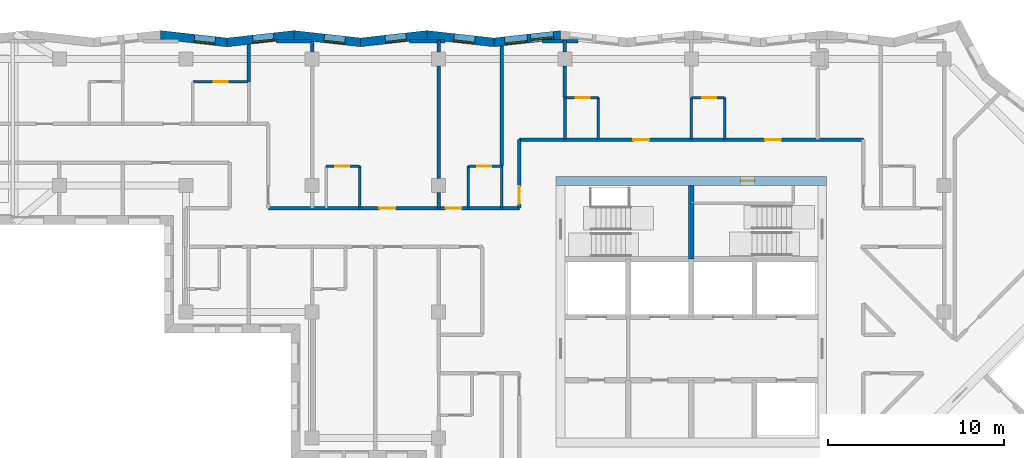
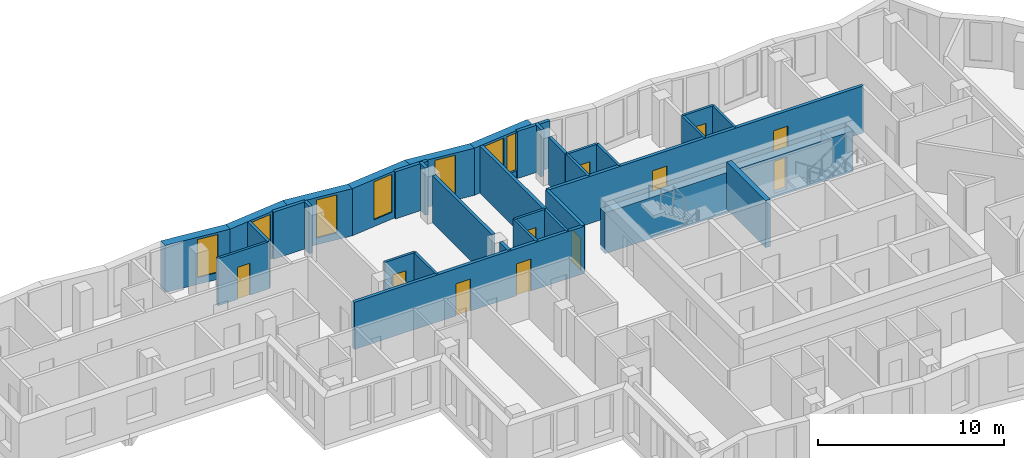
# One storey, part 6 of 13: 34 walls, 11 doors, 7 windows, 18 openings.
"""IFC4 building model written with IfcOpenShell, lengths in metres."""

from ifc_helpers import new_model, si_unit, direction, frame, frame_2d, origin, place, context, subcontext, project, spatial, polyline, rectangle, outline, extrude, material, layer, layer_set, type_object, element, fill, save


model = new_model("IFC4")

# Units and contexts
model_context = context("Model", 3, precision=1e-05, world=origin(), true_north=direction((0.0, 1.0)))
body_context = subcontext(model_context, "Body", "Model", "MODEL_VIEW")
ifc_project = project(units=[si_unit("LENGTHUNIT", "METRE"), si_unit("AREAUNIT", "SQUARE_METRE"), si_unit("VOLUMEUNIT", "CUBIC_METRE"), si_unit("PLANEANGLEUNIT", "RADIAN"), si_unit("MASSUNIT", "GRAM", prefix="KILO")], contexts=[model_context])

# Site, building, storey
site_placement = place(None, origin())
site = spatial("IfcSite", under=ifc_project, at=site_placement, CompositionType="ELEMENT")
building_placement = place(site_placement, origin())
building = spatial("IfcBuilding", under=site, at=building_placement, Name="Windrow Commons", CompositionType="ELEMENT")
storey_placement = place(building_placement, frame((0.0, 0.0, 203.2)))
storey = spatial("IfcBuildingStorey", under=building, at=storey_placement, Name="L55", CompositionType="ELEMENT", Elevation=203.2)

# Wall, openings, windows
ifc_material_1 = material(Name="Brick masonry, red clay brick", Category="masonry")
ifc_layer_1 = layer(ifc_material_1, 0.5)
ifc_layer_set_1 = layer_set([ifc_layer_1], Name="Brick facade wall 500")
wall_type_1 = type_object("IfcWallType", Name="Brick facade wall 500", PredefinedType="SOLIDWALL", material=ifc_layer_set_1)
wall_1_placement = place(storey_placement, frame((57.3421, 73.3695, 0.0), z_axis=(0.0, 0.0, 1.0), x_axis=(-0.99390702, -0.1102217568, 0.0)))
wall_1 = element("IfcWall", 1, at=wall_1_placement, inside=storey, type_object=wall_type_1, Name="Brick facade wall L55 23", PredefinedType="SOLIDWALL", context=body_context, shape_type="SweptSolid", body=[
    extrude(outline(polyline([(-0.0277, -0.25), (3.7919, -0.25), (3.8473, 0.25), (0.0277, 0.25), (-0.0277, -0.25)])), origin(), (0.0, 0.0, 1.0), 3.1),
])
opening_1_placement = place(wall_1_placement, frame((0.3952, 0.0, 0.45)))
opening_1 = element("IfcOpeningElement", 2, at=opening_1_placement, cuts=wall_1, Name="Opening W1Q", PredefinedType="OPENING", context=body_context, shape_type="SweptSolid", body=[
    extrude(rectangle(XDim=1.3, YDim=2.5, at=frame_2d((0.65, 1.25))), frame((0.0, 0.26, 0.0), z_axis=(0.0, -1.0, 0.0), x_axis=(1.0, 0.0, 0.0)), (0.0, 0.0, 1.0), 0.52),
])
opening_2_placement = place(wall_1_placement, frame((1.8952, 0.0, 0.45)))
opening_2 = element("IfcOpeningElement", 3, at=opening_2_placement, cuts=wall_1, Name="Opening W1Q", PredefinedType="OPENING", context=body_context, shape_type="SweptSolid", body=[
    extrude(rectangle(XDim=1.3, YDim=2.5, at=frame_2d((0.65, 1.25))), frame((0.0, 0.26, 0.0), z_axis=(0.0, -1.0, 0.0), x_axis=(1.0, 0.0, 0.0)), (0.0, 0.0, 1.0), 0.52),
])
ifc_material_2 = material(Name="Clear float glass in anodised aluminium frame", Category="aluminium")
window_type_1 = type_object("IfcWindowType", Name="Window W1Q pair 1300x2500", PartitioningType="SINGLE_PANEL", PredefinedType="WINDOW", material=ifc_material_2)
window_1_placement = place(opening_1_placement, origin())
window_1 = element("IfcWindow", 4, at=window_1_placement, inside=storey, type_object=window_type_1, Name="Window L55 23.1A", OverallHeight=2.5, OverallWidth=1.3, PartitioningType="SINGLE_PANEL", PredefinedType="WINDOW", context=body_context, shape_type="SweptSolid", body=[
    extrude(rectangle(XDim=1.3, YDim=2.5, at=frame_2d((0.65, 1.25))), frame((0.0, 0.12, 0.0), z_axis=(0.0, -1.0, 0.0), x_axis=(1.0, 0.0, 0.0)), (0.0, 0.0, 1.0), 0.06),
])
fill(opening_1, window_1)
window_2_placement = place(opening_2_placement, origin())
window_2 = element("IfcWindow", 5, at=window_2_placement, inside=storey, type_object=window_type_1, Name="Window L55 23.1B", OverallHeight=2.5, OverallWidth=1.3, PartitioningType="SINGLE_PANEL", PredefinedType="WINDOW", context=body_context, shape_type="SweptSolid", body=[
    extrude(rectangle(XDim=1.3, YDim=2.5, at=frame_2d((0.65, 1.25))), frame((0.0, 0.18, 0.0), z_axis=(0.0, -1.0, 0.0), x_axis=(1.0, 0.0, 0.0)), (0.0, 0.0, 1.0), 0.06),
])
fill(opening_2, window_2)

# Wall, opening, window
wall_2_placement = place(storey_placement, frame((53.5458, 72.9485, 0.0), z_axis=(0.0, 0.0, 1.0), x_axis=(-0.99390702, 0.1102217568, 0.0)))
wall_2 = element("IfcWall", 6, at=wall_2_placement, inside=storey, type_object=wall_type_1, Name="Brick facade wall L55 24", PredefinedType="SOLIDWALL", context=body_context, shape_type="SweptSolid", body=[
    extrude(outline(polyline([(0.0277, -0.25), (3.8473, -0.25), (3.7919, 0.25), (-0.0277, 0.25), (0.0277, -0.25)])), origin(), (0.0, 0.0, 1.0), 3.1),
])
opening_3_placement = place(wall_2_placement, frame((1.0826, 0.0, 0.45)))
opening_3 = element("IfcOpeningElement", 7, at=opening_3_placement, cuts=wall_2, Name="Opening W7E", PredefinedType="OPENING", context=body_context, shape_type="SweptSolid", body=[
    extrude(rectangle(XDim=1.2, YDim=2.5, at=frame_2d((0.6, 1.25))), frame((0.0, 0.26, 0.0), z_axis=(0.0, -1.0, 0.0), x_axis=(1.0, 0.0, 0.0)), (0.0, 0.0, 1.0), 0.52),
])
ifc_material_3 = material(Name="Clear float glass in anodised aluminium frame", Category="aluminium")
window_type_2 = type_object("IfcWindowType", Name="Window W7 notch 1200x2500", PartitioningType="SINGLE_PANEL", PredefinedType="WINDOW", material=ifc_material_3)
window_3_placement = place(opening_3_placement, origin())
window_3 = element("IfcWindow", 8, at=window_3_placement, inside=storey, type_object=window_type_2, Name="Window L55 24.1", OverallHeight=2.5, OverallWidth=1.2, PartitioningType="SINGLE_PANEL", PredefinedType="WINDOW", context=body_context, shape_type="SweptSolid", body=[
    extrude(rectangle(XDim=1.2, YDim=2.5, at=frame_2d((0.6, 1.25))), frame((0.0, 0.18, 0.0), z_axis=(0.0, -1.0, 0.0), x_axis=(1.0, 0.0, 0.0)), (0.0, 0.0, 1.0), 0.06),
])
fill(opening_3, window_3)

wall_3_placement = place(storey_placement, frame((49.7495, 73.3695, 0.0), z_axis=(0.0, 0.0, 1.0), x_axis=(-0.99390702, -0.1102217568, 0.0)))
wall_3 = element("IfcWall", 9, at=wall_3_placement, inside=storey, type_object=wall_type_1, Name="Brick facade wall L55 25", PredefinedType="SOLIDWALL", context=body_context, shape_type="SweptSolid", body=[
    extrude(outline(polyline([(-0.0277, -0.25), (3.7919, -0.25), (3.8473, 0.25), (0.0277, 0.25), (-0.0277, -0.25)])), origin(), (0.0, 0.0, 1.0), 3.1),
])
opening_4_placement = place(wall_3_placement, frame((1.1977, 0.0, 0.45)))
opening_4 = element("IfcOpeningElement", 10, at=opening_4_placement, cuts=wall_3, Name="Opening W7E", PredefinedType="OPENING", context=body_context, shape_type="SweptSolid", body=[
    extrude(rectangle(XDim=1.2, YDim=2.5, at=frame_2d((0.6, 1.25))), frame((0.0, 0.26, 0.0), z_axis=(0.0, -1.0, 0.0), x_axis=(1.0, 0.0, 0.0)), (0.0, 0.0, 1.0), 0.52),
])
window_4_placement = place(opening_4_placement, origin())
window_4 = element("IfcWindow", 11, at=window_4_placement, inside=storey, type_object=window_type_2, Name="Window L55 25.1", OverallHeight=2.5, OverallWidth=1.2, PartitioningType="SINGLE_PANEL", PredefinedType="WINDOW", context=body_context, shape_type="SweptSolid", body=[
    extrude(rectangle(XDim=1.2, YDim=2.5, at=frame_2d((0.6, 1.25))), frame((0.0, 0.18, 0.0), z_axis=(0.0, -1.0, 0.0), x_axis=(1.0, 0.0, 0.0)), (0.0, 0.0, 1.0), 0.06),
])
fill(opening_4, window_4)

wall_4_placement = place(storey_placement, frame((45.9532, 72.9485, 0.0), z_axis=(0.0, 0.0, 1.0), x_axis=(-0.99390702, 0.1102217568, 0.0)))
wall_4 = element("IfcWall", 12, at=wall_4_placement, inside=storey, type_object=wall_type_1, Name="Brick facade wall L55 26", PredefinedType="SOLIDWALL", context=body_context, shape_type="SweptSolid", body=[
    extrude(outline(polyline([(0.0277, -0.25), (3.8473, -0.25), (3.7919, 0.25), (-0.0277, 0.25), (0.0277, -0.25)])), origin(), (0.0, 0.0, 1.0), 3.1),
])
opening_5_placement = place(wall_4_placement, frame((0.885, 0.0, 0.45)))
opening_5 = element("IfcOpeningElement", 13, at=opening_5_placement, cuts=wall_4, Name="Opening W7E", PredefinedType="OPENING", context=body_context, shape_type="SweptSolid", body=[
    extrude(rectangle(XDim=1.2, YDim=2.5, at=frame_2d((0.6, 1.25))), frame((0.0, 0.26, 0.0), z_axis=(0.0, -1.0, 0.0), x_axis=(1.0, 0.0, 0.0)), (0.0, 0.0, 1.0), 0.52),
])
window_5_placement = place(opening_5_placement, origin())
window_5 = element("IfcWindow", 14, at=window_5_placement, inside=storey, type_object=window_type_2, Name="Window L55 26.1", OverallHeight=2.5, OverallWidth=1.2, PartitioningType="SINGLE_PANEL", PredefinedType="WINDOW", context=body_context, shape_type="SweptSolid", body=[
    extrude(rectangle(XDim=1.2, YDim=2.5, at=frame_2d((0.6, 1.25))), frame((0.0, 0.18, 0.0), z_axis=(0.0, -1.0, 0.0), x_axis=(1.0, 0.0, 0.0)), (0.0, 0.0, 1.0), 0.06),
])
fill(opening_5, window_5)

wall_5_placement = place(storey_placement, frame((42.1569, 73.3695, 0.0), z_axis=(0.0, 0.0, 1.0), x_axis=(-0.99390702, -0.1102217568, 0.0)))
wall_5 = element("IfcWall", 15, at=wall_5_placement, inside=storey, type_object=wall_type_1, Name="Brick facade wall L55 27", PredefinedType="SOLIDWALL", context=body_context, shape_type="SweptSolid", body=[
    extrude(outline(polyline([(-0.0277, -0.25), (3.7919, -0.25), (3.8473, 0.25), (0.0277, 0.25), (-0.0277, -0.25)])), origin(), (0.0, 0.0, 1.0), 3.1),
])
opening_6_placement = place(wall_5_placement, frame((1.1501, 0.0, 0.45)))
opening_6 = element("IfcOpeningElement", 16, at=opening_6_placement, cuts=wall_5, Name="Opening W7E", PredefinedType="OPENING", context=body_context, shape_type="SweptSolid", body=[
    extrude(rectangle(XDim=1.2, YDim=2.5, at=frame_2d((0.6, 1.25))), frame((0.0, 0.26, 0.0), z_axis=(0.0, -1.0, 0.0), x_axis=(1.0, 0.0, 0.0)), (0.0, 0.0, 1.0), 0.52),
])
window_6_placement = place(opening_6_placement, origin())
window_6 = element("IfcWindow", 17, at=window_6_placement, inside=storey, type_object=window_type_2, Name="Window L55 27.1", OverallHeight=2.5, OverallWidth=1.2, PartitioningType="SINGLE_PANEL", PredefinedType="WINDOW", context=body_context, shape_type="SweptSolid", body=[
    extrude(rectangle(XDim=1.2, YDim=2.5, at=frame_2d((0.6, 1.25))), frame((0.0, 0.18, 0.0), z_axis=(0.0, -1.0, 0.0), x_axis=(1.0, 0.0, 0.0)), (0.0, 0.0, 1.0), 0.06),
])
fill(opening_6, window_6)

wall_6_placement = place(storey_placement, frame((38.3606, 72.9485, 0.0), z_axis=(0.0, 0.0, 1.0), x_axis=(-0.99390702, 0.1102217568, 0.0)))
wall_6 = element("IfcWall", 18, at=wall_6_placement, inside=storey, type_object=wall_type_1, Name="Brick facade wall L55 28", PredefinedType="SOLIDWALL", context=body_context, shape_type="SweptSolid", body=[
    extrude(outline(polyline([(0.0277, -0.25), (3.8473, -0.25), (3.7919, 0.25), (-0.0277, 0.25), (0.0277, -0.25)])), origin(), (0.0, 0.0, 1.0), 3.1),
])
opening_7_placement = place(wall_6_placement, frame((0.6875, 0.0, 0.45)))
opening_7 = element("IfcOpeningElement", 19, at=opening_7_placement, cuts=wall_6, Name="Opening W7E", PredefinedType="OPENING", context=body_context, shape_type="SweptSolid", body=[
    extrude(rectangle(XDim=1.2, YDim=2.5, at=frame_2d((0.6, 1.25))), frame((0.0, 0.26, 0.0), z_axis=(0.0, -1.0, 0.0), x_axis=(1.0, 0.0, 0.0)), (0.0, 0.0, 1.0), 0.52),
])
window_7_placement = place(opening_7_placement, origin())
window_7 = element("IfcWindow", 20, at=window_7_placement, inside=storey, type_object=window_type_2, Name="Window L55 28.1", OverallHeight=2.5, OverallWidth=1.2, PartitioningType="SINGLE_PANEL", PredefinedType="WINDOW", context=body_context, shape_type="SweptSolid", body=[
    extrude(rectangle(XDim=1.2, YDim=2.5, at=frame_2d((0.6, 1.25))), frame((0.0, 0.18, 0.0), z_axis=(0.0, -1.0, 0.0), x_axis=(1.0, 0.0, 0.0)), (0.0, 0.0, 1.0), 0.06),
])
fill(opening_7, window_7)

# Wall, openings, doors
ifc_material_4 = material(Name="Blockwork partition", Category="masonry")
ifc_layer_2 = layer(ifc_material_4, 0.2)
ifc_layer_set_2 = layer_set([ifc_layer_2], Name="IW-CORRIDOR-200")
wall_type_2 = type_object("IfcWallType", Name="IW-CORRIDOR-200", PredefinedType="PARTITIONING", material=ifc_layer_set_2)
wall_7_placement = place(storey_placement, frame((55.0, 67.4, 0.0), z_axis=(0.0, 0.0, 1.0), x_axis=(1.0, 0.0, 0.0)))
wall_7 = element("IfcWall", 21, at=wall_7_placement, inside=storey, type_object=wall_type_2, Name="W-L55-W000", PredefinedType="PARTITIONING", context=body_context, shape_type="SweptSolid", body=[
    extrude(rectangle(XDim=19.6, YDim=0.2, at=frame_2d((9.8, 0.0))), origin(), (0.0, 0.0, 1.0), 3.1),
])
opening_8_placement = place(wall_7_placement, frame((6.4994, 0.0, 0.0)))
opening_8 = element("IfcOpeningElement", 22, at=opening_8_placement, cuts=wall_7, Name="Opening D109F", PredefinedType="OPENING", context=body_context, shape_type="SweptSolid", body=[
    extrude(rectangle(XDim=0.9, YDim=2.1, at=frame_2d((0.45, 1.05))), frame((0.0, 0.11, 0.0), z_axis=(0.0, -1.0, 0.0), x_axis=(1.0, 0.0, 0.0)), (0.0, 0.0, 1.0), 0.22),
])
opening_9_placement = place(wall_7_placement, frame((14.0006, 0.0, 0.0)))
opening_9 = element("IfcOpeningElement", 23, at=opening_9_placement, cuts=wall_7, Name="Opening D109F", PredefinedType="OPENING", context=body_context, shape_type="SweptSolid", body=[
    extrude(rectangle(XDim=0.9, YDim=2.1, at=frame_2d((0.45, 1.05))), frame((0.0, 0.11, 0.0), z_axis=(0.0, -1.0, 0.0), x_axis=(1.0, 0.0, 0.0)), (0.0, 0.0, 1.0), 0.22),
])
ifc_material_5 = material(Name="Timber door leaf", Category="wood")
door_type_1 = type_object("IfcDoorType", Name="DT-BEDROOM-900", OperationType="SINGLE_SWING_LEFT", PredefinedType="DOOR", material=ifc_material_5)
door_1_placement = place(opening_8_placement, origin())
door_1 = element("IfcDoor", 24, at=door_1_placement, inside=storey, type_object=door_type_1, Name="D-L55-D032", OperationType="SINGLE_SWING_RIGHT", OverallHeight=2.1, OverallWidth=0.9, PredefinedType="DOOR", context=body_context, shape_type="SweptSolid", body=[
    extrude(rectangle(XDim=0.9, YDim=2.1, at=frame_2d((0.45, 1.05))), frame((0.0, 0.025, 0.0), z_axis=(0.0, -1.0, 0.0), x_axis=(1.0, 0.0, 0.0)), (0.0, 0.0, 1.0), 0.05),
])
fill(opening_8, door_1)
door_2_placement = place(opening_9_placement, origin())
door_2 = element("IfcDoor", 25, at=door_2_placement, inside=storey, type_object=door_type_1, Name="D-L55-D034", OperationType="SINGLE_SWING_RIGHT", OverallHeight=2.1, OverallWidth=0.9, PredefinedType="DOOR", context=body_context, shape_type="SweptSolid", body=[
    extrude(rectangle(XDim=0.9, YDim=2.1, at=frame_2d((0.45, 1.05))), frame((0.0, 0.025, 0.0), z_axis=(0.0, -1.0, 0.0), x_axis=(1.0, 0.0, 0.0)), (0.0, 0.0, 1.0), 0.05),
])
fill(opening_9, door_2)

wall_8_placement = place(storey_placement, frame((40.702, 63.5, 0.0), z_axis=(0.0, 0.0, 1.0), x_axis=(1.0, 0.0, 0.0)))
wall_8 = element("IfcWall", 26, at=wall_8_placement, inside=storey, type_object=wall_type_2, Name="W-L55-W005", PredefinedType="PARTITIONING", context=body_context, shape_type="SweptSolid", body=[
    extrude(rectangle(XDim=14.298, YDim=0.2, at=frame_2d((7.149, 0.0))), origin(), (0.0, 0.0, 1.0), 3.1),
])
opening_10_placement = place(wall_8_placement, frame((6.332, 0.0, 0.0)))
opening_10 = element("IfcOpeningElement", 27, at=opening_10_placement, cuts=wall_8, Name="Opening D109F", PredefinedType="OPENING", context=body_context, shape_type="SweptSolid", body=[
    extrude(rectangle(XDim=0.9, YDim=2.1, at=frame_2d((0.45, 1.05))), frame((0.0, 0.11, 0.0), z_axis=(0.0, -1.0, 0.0), x_axis=(1.0, 0.0, 0.0)), (0.0, 0.0, 1.0), 0.22),
])
opening_11_placement = place(wall_8_placement, frame((10.098, 0.0, 0.0)))
opening_11 = element("IfcOpeningElement", 28, at=opening_11_placement, cuts=wall_8, Name="Opening D109S", PredefinedType="OPENING", context=body_context, shape_type="SweptSolid", body=[
    extrude(rectangle(XDim=0.9, YDim=2.1, at=frame_2d((0.45, 1.05))), frame((0.0, 0.11, 0.0), z_axis=(0.0, -1.0, 0.0), x_axis=(1.0, 0.0, 0.0)), (0.0, 0.0, 1.0), 0.22),
])
door_3_placement = place(opening_10_placement, origin())
door_3 = element("IfcDoor", 29, at=door_3_placement, inside=storey, type_object=door_type_1, Name="D-L55-D015", OperationType="SINGLE_SWING_RIGHT", OverallHeight=2.1, OverallWidth=0.9, PredefinedType="DOOR", context=body_context, shape_type="SweptSolid", body=[
    extrude(rectangle(XDim=0.9, YDim=2.1, at=frame_2d((0.45, 1.05))), frame((0.0, 0.025, 0.0), z_axis=(0.0, -1.0, 0.0), x_axis=(1.0, 0.0, 0.0)), (0.0, 0.0, 1.0), 0.05),
])
fill(opening_10, door_3)
door_4_placement = place(opening_11_placement, origin())
door_4 = element("IfcDoor", 30, at=door_4_placement, inside=storey, type_object=door_type_1, Name="D-L55-D017", OperationType="SINGLE_SWING_RIGHT", OverallHeight=2.1, OverallWidth=0.9, PredefinedType="DOOR", context=body_context, shape_type="SweptSolid", body=[
    extrude(rectangle(XDim=0.9, YDim=2.1, at=frame_2d((0.45, 1.05))), frame((0.0, 0.025, 0.0), z_axis=(0.0, -1.0, 0.0), x_axis=(1.0, 0.0, 0.0)), (0.0, 0.0, 1.0), 0.05),
])
fill(opening_11, door_4)

# Wall, opening, door
wall_9_placement = place(storey_placement, frame((55.0, 63.502, 0.0), z_axis=(0.0, 0.0, 1.0), x_axis=(0.0, 1.0, 0.0)))
wall_9 = element("IfcWall", 31, at=wall_9_placement, inside=storey, type_object=wall_type_2, Name="W-L55-W042", PredefinedType="PARTITIONING", context=body_context, shape_type="SweptSolid", body=[
    extrude(rectangle(XDim=3.898, YDim=0.2, at=frame_2d((1.949, 0.0))), origin(), (0.0, 0.0, 1.0), 3.1),
])
opening_12_placement = place(wall_9_placement, frame((0.2416, 0.0, 0.0)))
opening_12 = element("IfcOpeningElement", 32, at=opening_12_placement, cuts=wall_9, Name="Opening D310F", PredefinedType="OPENING", context=body_context, shape_type="SweptSolid", body=[
    extrude(rectangle(XDim=1.0, YDim=2.1, at=frame_2d((0.5, 1.05))), frame((0.0, 0.11, 0.0), z_axis=(0.0, -1.0, 0.0), x_axis=(1.0, 0.0, 0.0)), (0.0, 0.0, 1.0), 0.22),
])
ifc_material_6 = material(Name="Timber door leaf", Category="wood")
door_type_2 = type_object("IfcDoorType", Name="DT-AMENITY-1000", OperationType="SINGLE_SWING_LEFT", PredefinedType="DOOR", material=ifc_material_6)
door_5_placement = place(opening_12_placement, origin())
door_5 = element("IfcDoor", 33, at=door_5_placement, inside=storey, type_object=door_type_2, Name="D-L55-D019", OperationType="SINGLE_SWING_LEFT", OverallHeight=2.1, OverallWidth=1.0, PredefinedType="DOOR", context=body_context, shape_type="SweptSolid", body=[
    extrude(rectangle(XDim=1.0, YDim=2.1, at=frame_2d((0.5, 1.05))), frame((0.0, 0.025, 0.0), z_axis=(0.0, -1.0, 0.0), x_axis=(1.0, 0.0, 0.0)), (0.0, 0.0, 1.0), 0.05),
])
fill(opening_12, door_5)

ifc_material_7 = material(Name="Blockwork partition", Category="masonry")
ifc_layer_3 = layer(ifc_material_7, 0.15)
ifc_layer_set_3 = layer_set([ifc_layer_3], Name="IW-ENSUITE-150")
wall_type_3 = type_object("IfcWallType", Name="IW-ENSUITE-150", PredefinedType="PARTITIONING", material=ifc_layer_set_3)
wall_10_placement = place(storey_placement, frame((36.4, 70.7, 0.0), z_axis=(0.0, 0.0, 1.0), x_axis=(1.0, 0.0, 0.0)))
wall_10 = element("IfcWall", 34, at=wall_10_placement, inside=storey, type_object=wall_type_3, Name="W-L55-W050", PredefinedType="PARTITIONING", context=body_context, shape_type="SweptSolid", body=[
    extrude(rectangle(XDim=3.2, YDim=0.15, at=frame_2d((1.6, 0.0))), origin(), (0.0, 0.0, 1.0), 3.1),
])
opening_13_placement = place(wall_10_placement, frame((1.2042, 0.0, 0.0)))
opening_13 = element("IfcOpeningElement", 35, at=opening_13_placement, cuts=wall_10, Name="Opening D208N", PredefinedType="OPENING", context=body_context, shape_type="SweptSolid", body=[
    extrude(rectangle(XDim=0.8, YDim=2.1, at=frame_2d((0.4, 1.05))), frame((0.0, 0.085, 0.0), z_axis=(0.0, -1.0, 0.0), x_axis=(1.0, 0.0, 0.0)), (0.0, 0.0, 1.0), 0.17),
])
ifc_material_8 = material(Name="Timber door leaf", Category="wood")
door_type_3 = type_object("IfcDoorType", Name="DT-ENSUITE-800", OperationType="SINGLE_SWING_LEFT", PredefinedType="DOOR", material=ifc_material_8)
door_6_placement = place(opening_13_placement, origin())
door_6 = element("IfcDoor", 36, at=door_6_placement, inside=storey, type_object=door_type_3, Name="D-L55-D007", OperationType="SINGLE_SWING_RIGHT", OverallHeight=2.1, OverallWidth=0.8, PredefinedType="DOOR", context=body_context, shape_type="SweptSolid", body=[
    extrude(rectangle(XDim=0.8, YDim=2.1, at=frame_2d((0.4, 1.05))), frame((0.0, 0.025, 0.0), z_axis=(0.0, -1.0, 0.0), x_axis=(1.0, 0.0, 0.0)), (0.0, 0.0, 1.0), 0.05),
])
fill(opening_13, door_6)

# Walls
for number, where, z_axis, x_axis, name in (
    (37, (45.9, 63.5, 0.0), (0.0, 0.0, 1.0), (0.0, 1.0, 0.0), "W-L55-W069"),
    (38, (52.1, 63.5, 0.0), (0.0, 0.0, 1.0), (0.0, 1.0, 0.0), "W-L55-W070"),
    (39, (54.0, 63.5, 0.0), (0.0, 0.0, 1.0), (0.0, 1.0, 0.0), "W-L55-W071"),
    (40, (59.5, 67.4, 0.0), (0.0, 0.0, 1.0), (0.0, 1.0, 0.0), "W-L55-W085"),
    (41, (57.6, 67.4, 0.0), (0.0, 0.0, 1.0), (0.0, 1.0, 0.0), "W-L55-W086"),
    (42, (66.7, 67.4, 0.0), (0.0, 0.0, 1.0), (0.0, 1.0, 0.0), "W-L55-W087"),
    (43, (64.8, 67.4, 0.0), (0.0, 0.0, 1.0), (0.0, 1.0, 0.0), "W-L55-W088"),
):
    element("IfcWall", number, at=place(storey_placement, frame(where, z_axis=z_axis, x_axis=x_axis)), inside=storey, type_object=wall_type_3, Name=name, PredefinedType="PARTITIONING", context=body_context, shape_type="SweptSolid", body=[
        extrude(rectangle(XDim=2.4, YDim=0.15, at=frame_2d((1.2, 0.0))), origin(), (0.0, 0.0, 1.0), 3.1),
    ])

# Wall, opening, door
wall_11_placement = place(storey_placement, frame((64.8, 69.8, 0.0), z_axis=(0.0, 0.0, 1.0), x_axis=(1.0, 0.0, 0.0)))
wall_11 = element("IfcWall", 44, at=wall_11_placement, inside=storey, type_object=wall_type_3, Name="W-L55-W112", PredefinedType="PARTITIONING", context=body_context, shape_type="SweptSolid", body=[
    extrude(rectangle(XDim=1.9, YDim=0.15, at=frame_2d((0.95, 0.0))), origin(), (0.0, 0.0, 1.0), 3.1),
])
opening_14_placement = place(wall_11_placement, frame((0.6069, 0.0, 0.0)))
opening_14 = element("IfcOpeningElement", 45, at=opening_14_placement, cuts=wall_11, Name="Opening D208N", PredefinedType="OPENING", context=body_context, shape_type="SweptSolid", body=[
    extrude(rectangle(XDim=0.8, YDim=2.1, at=frame_2d((0.4, 1.05))), frame((0.0, 0.085, 0.0), z_axis=(0.0, -1.0, 0.0), x_axis=(1.0, 0.0, 0.0)), (0.0, 0.0, 1.0), 0.17),
])
door_7_placement = place(opening_14_placement, origin())
door_7 = element("IfcDoor", 46, at=door_7_placement, inside=storey, type_object=door_type_3, Name="D-L55-D035", OperationType="SINGLE_SWING_RIGHT", OverallHeight=2.1, OverallWidth=0.8, PredefinedType="DOOR", context=body_context, shape_type="SweptSolid", body=[
    extrude(rectangle(XDim=0.8, YDim=2.1, at=frame_2d((0.4, 1.05))), frame((0.0, 0.025, 0.0), z_axis=(0.0, -1.0, 0.0), x_axis=(1.0, 0.0, 0.0)), (0.0, 0.0, 1.0), 0.05),
])
fill(opening_14, door_7)

wall_12_placement = place(storey_placement, frame((44.0, 65.9, 0.0), z_axis=(0.0, 0.0, 1.0), x_axis=(1.0, 0.0, 0.0)))
wall_12 = element("IfcWall", 47, at=wall_12_placement, inside=storey, type_object=wall_type_3, Name="W-L55-W117", PredefinedType="PARTITIONING", context=body_context, shape_type="SweptSolid", body=[
    extrude(rectangle(XDim=1.9, YDim=0.15, at=frame_2d((0.95, 0.0))), origin(), (0.0, 0.0, 1.0), 3.1),
])
opening_15_placement = place(wall_12_placement, frame((0.5049, 0.0, 0.0)))
opening_15 = element("IfcOpeningElement", 48, at=opening_15_placement, cuts=wall_12, Name="Opening D208N", PredefinedType="OPENING", context=body_context, shape_type="SweptSolid", body=[
    extrude(rectangle(XDim=0.8, YDim=2.1, at=frame_2d((0.4, 1.05))), frame((0.0, 0.085, 0.0), z_axis=(0.0, -1.0, 0.0), x_axis=(1.0, 0.0, 0.0)), (0.0, 0.0, 1.0), 0.17),
])
door_8_placement = place(opening_15_placement, origin())
door_8 = element("IfcDoor", 49, at=door_8_placement, inside=storey, type_object=door_type_3, Name="D-L55-D016", OperationType="SINGLE_SWING_RIGHT", OverallHeight=2.1, OverallWidth=0.8, PredefinedType="DOOR", context=body_context, shape_type="SweptSolid", body=[
    extrude(rectangle(XDim=0.8, YDim=2.1, at=frame_2d((0.4, 1.05))), frame((0.0, 0.025, 0.0), z_axis=(0.0, -1.0, 0.0), x_axis=(1.0, 0.0, 0.0)), (0.0, 0.0, 1.0), 0.05),
])
fill(opening_15, door_8)

wall_13_placement = place(storey_placement, frame((52.1, 65.9, 0.0), z_axis=(0.0, 0.0, 1.0), x_axis=(1.0, 0.0, 0.0)))
wall_13 = element("IfcWall", 50, at=wall_13_placement, inside=storey, type_object=wall_type_3, Name="W-L55-W118", PredefinedType="PARTITIONING", context=body_context, shape_type="SweptSolid", body=[
    extrude(rectangle(XDim=1.9, YDim=0.15, at=frame_2d((0.95, 0.0))), origin(), (0.0, 0.0, 1.0), 3.1),
])
opening_16_placement = place(wall_13_placement, frame((0.4931, 0.0, 0.0)))
opening_16 = element("IfcOpeningElement", 51, at=opening_16_placement, cuts=wall_13, Name="Opening D208N", PredefinedType="OPENING", context=body_context, shape_type="SweptSolid", body=[
    extrude(rectangle(XDim=0.8, YDim=2.1, at=frame_2d((0.4, 1.05))), frame((0.0, 0.085, 0.0), z_axis=(0.0, -1.0, 0.0), x_axis=(1.0, 0.0, 0.0)), (0.0, 0.0, 1.0), 0.17),
])
door_9_placement = place(opening_16_placement, origin())
door_9 = element("IfcDoor", 52, at=door_9_placement, inside=storey, type_object=door_type_3, Name="D-L55-D018", OperationType="SINGLE_SWING_RIGHT", OverallHeight=2.1, OverallWidth=0.8, PredefinedType="DOOR", context=body_context, shape_type="SweptSolid", body=[
    extrude(rectangle(XDim=0.8, YDim=2.1, at=frame_2d((0.4, 1.05))), frame((0.0, 0.025, 0.0), z_axis=(0.0, -1.0, 0.0), x_axis=(1.0, 0.0, 0.0)), (0.0, 0.0, 1.0), 0.05),
])
fill(opening_16, door_9)

wall_14_placement = place(storey_placement, frame((57.6, 69.8, 0.0), z_axis=(0.0, 0.0, 1.0), x_axis=(1.0, 0.0, 0.0)))
wall_14 = element("IfcWall", 53, at=wall_14_placement, inside=storey, type_object=wall_type_3, Name="W-L55-W121", PredefinedType="PARTITIONING", context=body_context, shape_type="SweptSolid", body=[
    extrude(rectangle(XDim=1.9, YDim=0.15, at=frame_2d((0.95, 0.0))), origin(), (0.0, 0.0, 1.0), 3.1),
])
opening_17_placement = place(wall_14_placement, frame((0.6069, 0.0, 0.0)))
opening_17 = element("IfcOpeningElement", 54, at=opening_17_placement, cuts=wall_14, Name="Opening D208N", PredefinedType="OPENING", context=body_context, shape_type="SweptSolid", body=[
    extrude(rectangle(XDim=0.8, YDim=2.1, at=frame_2d((0.4, 1.05))), frame((0.0, 0.085, 0.0), z_axis=(0.0, -1.0, 0.0), x_axis=(1.0, 0.0, 0.0)), (0.0, 0.0, 1.0), 0.17),
])
door_10_placement = place(opening_17_placement, origin())
door_10 = element("IfcDoor", 55, at=door_10_placement, inside=storey, type_object=door_type_3, Name="D-L55-D033", OperationType="SINGLE_SWING_RIGHT", OverallHeight=2.1, OverallWidth=0.8, PredefinedType="DOOR", context=body_context, shape_type="SweptSolid", body=[
    extrude(rectangle(XDim=0.8, YDim=2.1, at=frame_2d((0.4, 1.05))), frame((0.0, 0.025, 0.0), z_axis=(0.0, -1.0, 0.0), x_axis=(1.0, 0.0, 0.0)), (0.0, 0.0, 1.0), 0.05),
])
fill(opening_17, door_10)

# Walls
ifc_material_9 = material(Name="Blockwork partition", Category="masonry")
ifc_layer_4 = layer(ifc_material_9, 0.2)
ifc_layer_set_4 = layer_set([ifc_layer_4], Name="IW-PARTY-200")
wall_type_4 = type_object("IfcWallType", Name="IW-PARTY-200", PredefinedType="PARTITIONING", material=ifc_layer_set_4)
wall_15_placement = place(storey_placement, frame((54.0, 65.9, 0.0), z_axis=(0.0, 0.0, 1.0), x_axis=(0.0, 1.0, 0.0)))
element("IfcWall", 56, at=wall_15_placement, inside=storey, type_object=wall_type_4, Name="W-L55-W016", PredefinedType="PARTITIONING", context=body_context, shape_type="SweptSolid", body=[
    extrude(rectangle(XDim=6.8473, YDim=0.2, at=frame_2d((3.4236, 0.0))), origin(), (0.0, 0.0, 1.0), 3.1),
])
wall_16_placement = place(storey_placement, frame((50.4, 65.2, 0.0), z_axis=(0.0, 0.0, 1.0), x_axis=(0.0, 1.0, 0.0)))
element("IfcWall", 57, at=wall_16_placement, inside=storey, type_object=wall_type_4, Name="W-L55-W022", PredefinedType="PARTITIONING", context=body_context, shape_type="SweptSolid", body=[
    extrude(rectangle(XDim=6.4, YDim=0.2, at=frame_2d((3.2, 0.0))), origin(), (0.0, 0.0, 1.0), 3.1),
])
wall_17_placement = place(storey_placement, frame((39.6, 70.7, 0.0), z_axis=(0.0, 0.0, 1.0), x_axis=(0.0, 1.0, 0.0)))
element("IfcWall", 58, at=wall_17_placement, inside=storey, type_object=wall_type_4, Name="W-L55-W099", PredefinedType="PARTITIONING", context=body_context, shape_type="SweptSolid", body=[
    extrude(rectangle(XDim=2.1344, YDim=0.2, at=frame_2d((1.0672, 0.0))), origin(), (0.0, 0.0, 1.0), 3.1),
])
wall_18_placement = place(storey_placement, frame((48.736, 73.0, 0.0), z_axis=(0.0, 0.0, 1.0), x_axis=(1.0, 0.0, 0.0)))
element("IfcWall", 59, at=wall_18_placement, inside=storey, type_object=wall_type_4, Name="W-L55-W101", PredefinedType="PARTITIONING", context=body_context, shape_type="SweptSolid", body=[
    extrude(rectangle(XDim=2.027, YDim=0.2, at=frame_2d((1.0135, 0.0))), origin(), (0.0, 0.0, 1.0), 3.1),
])
wall_19_placement = place(storey_placement, frame((56.3287, 73.0, 0.0), z_axis=(0.0, 0.0, 1.0), x_axis=(1.0, 0.0, 0.0)))
element("IfcWall", 60, at=wall_19_placement, inside=storey, type_object=wall_type_4, Name="W-L55-W102", PredefinedType="PARTITIONING", context=body_context, shape_type="SweptSolid", body=[
    extrude(rectangle(XDim=2.0269, YDim=0.2, at=frame_2d((1.0134, 0.0))), origin(), (0.0, 0.0, 1.0), 3.1),
])
wall_20_placement = place(storey_placement, frame((41.1712, 73.0031, 0.0), z_axis=(0.0, 0.0, 1.0), x_axis=(1.0, 0.0, 0.0)))
element("IfcWall", 61, at=wall_20_placement, inside=storey, type_object=wall_type_4, Name="W-L55-W103", PredefinedType="PARTITIONING", context=body_context, shape_type="SweptSolid", body=[
    extrude(rectangle(XDim=2.0288, YDim=0.2, at=frame_2d((1.0144, 0.0))), origin(), (0.0, 0.0, 1.0), 3.1),
])
wall_21_placement = place(storey_placement, frame((57.6, 69.8, 0.0), z_axis=(0.0, 0.0, 1.0), x_axis=(0.0, 1.0, 0.0)))
element("IfcWall", 62, at=wall_21_placement, inside=storey, type_object=wall_type_4, Name="W-L55-W125", PredefinedType="PARTITIONING", context=body_context, shape_type="SweptSolid", body=[
    extrude(rectangle(XDim=1.8, YDim=0.2, at=frame_2d((0.9, 0.0))), origin(), (0.0, 0.0, 1.0), 3.1),
])
wall_22_placement = place(storey_placement, frame((50.4, 63.5, 0.0), z_axis=(0.0, 0.0, 1.0), x_axis=(0.0, 1.0, 0.0)))
element("IfcWall", 63, at=wall_22_placement, inside=storey, type_object=wall_type_4, Name="W-L55-W141", PredefinedType="PARTITIONING", context=body_context, shape_type="SweptSolid", body=[
    extrude(rectangle(XDim=0.9, YDim=0.2, at=frame_2d((0.45, 0.0))), origin(), (0.0, 0.0, 1.0), 3.1),
])
wall_23_placement = place(storey_placement, frame((57.6, 72.4, 0.0), z_axis=(0.0, 0.0, 1.0), x_axis=(0.0, 1.0, 0.0)))
element("IfcWall", 64, at=wall_23_placement, inside=storey, type_object=wall_type_4, Name="W-L55-W156", PredefinedType="PARTITIONING", context=body_context, shape_type="SweptSolid", body=[
    extrude(rectangle(XDim=0.6893, YDim=0.2, at=frame_2d((0.3447, 0.0))), origin(), (0.0, 0.0, 1.0), 3.1),
])
wall_24_placement = place(storey_placement, frame((50.4, 72.4, 0.0), z_axis=(0.0, 0.0, 1.0), x_axis=(0.0, 1.0, 0.0)))
element("IfcWall", 65, at=wall_24_placement, inside=storey, type_object=wall_type_4, Name="W-L55-W161", PredefinedType="PARTITIONING", context=body_context, shape_type="SweptSolid", body=[
    extrude(rectangle(XDim=0.6458, YDim=0.2, at=frame_2d((0.3229, 0.0))), origin(), (0.0, 0.0, 1.0), 3.1),
])
wall_25_placement = place(storey_placement, frame((43.2, 72.4, 0.0), z_axis=(0.0, 0.0, 1.0), x_axis=(0.0, 1.0, 0.0)))
element("IfcWall", 66, at=wall_25_placement, inside=storey, type_object=wall_type_4, Name="W-L55-W162", PredefinedType="PARTITIONING", context=body_context, shape_type="SweptSolid", body=[
    extrude(rectangle(XDim=0.6023, YDim=0.2, at=frame_2d((0.3011, 0.0))), origin(), (0.0, 0.0, 1.0), 3.1),
])

# Wall, opening, door
ifc_material_10 = material(Name="Concrete C40/50", Category="concrete")
ifc_layer_5 = layer(ifc_material_10, 0.5)
ifc_layer_set_5 = layer_set([ifc_layer_5], Name="RC CORE WALL 500 C40/50")
wall_type_5 = type_object("IfcWallType", Name="RC CORE WALL 500 C40/50", PredefinedType="SHEAR", material=ifc_layer_set_5)
wall_26_placement = place(storey_placement, frame((57.1, 65.05, -0.3), z_axis=(0.0, 0.0, 1.0), x_axis=(1.0, 0.0, 0.0)))
wall_26 = element("IfcWall", 67, at=wall_26_placement, inside=storey, type_object=wall_type_5, Name="Core A wall outer-N", PredefinedType="SHEAR", context=body_context, shape_type="SweptSolid", body=[
    extrude(rectangle(XDim=15.4, YDim=0.5, at=frame_2d((7.7, 0.0))), origin(), (0.0, 0.0, 1.0), 2.7),
])
opening_18_placement = place(wall_26_placement, frame((10.5, 0.0, 0.3)))
opening_18 = element("IfcOpeningElement", 68, at=opening_18_placement, cuts=wall_26, Name="Opening D9", PredefinedType="OPENING", context=body_context, shape_type="SweptSolid", body=[
    extrude(rectangle(XDim=0.8, YDim=2.1, at=frame_2d((0.4, 1.05))), frame((0.0, 0.26, 0.0), z_axis=(0.0, -1.0, 0.0), x_axis=(1.0, 0.0, 0.0)), (0.0, 0.0, 1.0), 0.52),
])
ifc_material_11 = material(Name="Steel fire door leaf", Category="steel")
door_type_4 = type_object("IfcDoorType", Name="Riser access door 800", OperationType="SINGLE_SWING_LEFT", PredefinedType="DOOR", material=ifc_material_11)
door_11_placement = place(opening_18_placement, origin())
door_11 = element("IfcDoor", 69, at=door_11_placement, inside=storey, type_object=door_type_4, Name="Riser access door", OperationType="SINGLE_SWING_RIGHT", OverallHeight=2.1, OverallWidth=0.8, PredefinedType="DOOR", context=body_context, shape_type="SweptSolid", body=[
    extrude(rectangle(XDim=0.8, YDim=2.1, at=frame_2d((0.4, 1.05))), frame((0.0, 0.025, 0.0), z_axis=(0.0, -1.0, 0.0), x_axis=(1.0, 0.0, 0.0)), (0.0, 0.0, 1.0), 0.05),
])
fill(opening_18, door_11)

# Wall
ifc_material_12 = material(Name="Concrete C40/50", Category="concrete")
ifc_layer_6 = layer(ifc_material_12, 0.3)
ifc_layer_set_6 = layer_set([ifc_layer_6], Name="RC SHAFT WALL 300 C40/50")
wall_type_6 = type_object("IfcWallType", Name="RC SHAFT WALL 300 C40/50", PredefinedType="SOLIDWALL", material=ifc_layer_set_6)
wall_27_placement = place(storey_placement, frame((64.8, 60.6, 0.0), z_axis=(0.0, 0.0, 1.0), x_axis=(0.0, 1.0, 0.0)))
element("IfcWall", 70, at=wall_27_placement, inside=storey, type_object=wall_type_6, Name="Core A wall stair-mid", PredefinedType="SOLIDWALL", context=body_context, shape_type="SweptSolid", body=[
    extrude(rectangle(XDim=4.2, YDim=0.3, at=frame_2d((2.1, 0.0))), origin(), (0.0, 0.0, 1.0), 3.1),
])

save(model, "model.ifc")
